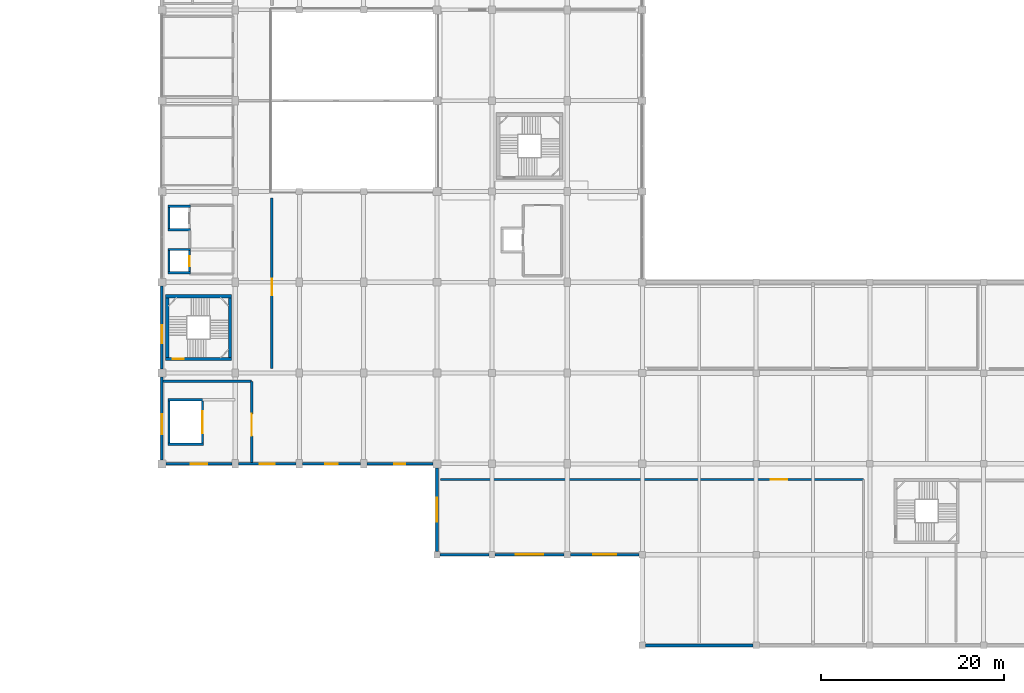
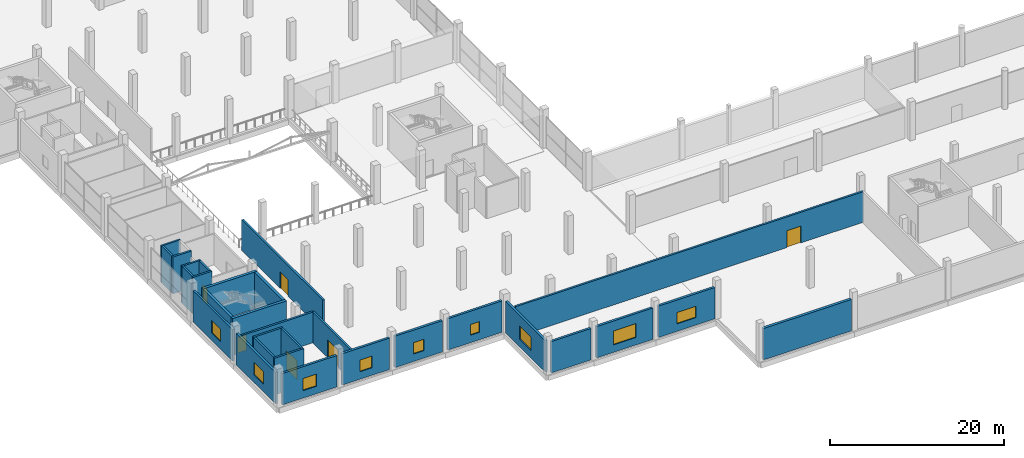
# One storey, part 44 of 74: 30 walls, 9 windows, 6 doors, 15 openings.
"""IFC4 building model written with IfcOpenShell, lengths in metres."""

from ifc_helpers import new_model, si_unit, direction, frame, frame_2d, origin, place, context, subcontext, project, spatial, rectangle, extrude, material, layer, layer_set, type_object, element, fill, save


model = new_model("IFC4")

# Units and contexts
model_context = context("Model", 3, precision=1e-05, world=origin(), true_north=direction((0.0, 1.0)))
body_context = subcontext(model_context, "Body", "Model", "MODEL_VIEW")
ifc_project = project(units=[si_unit("LENGTHUNIT", "METRE"), si_unit("AREAUNIT", "SQUARE_METRE"), si_unit("VOLUMEUNIT", "CUBIC_METRE"), si_unit("PLANEANGLEUNIT", "RADIAN"), si_unit("MASSUNIT", "GRAM", prefix="KILO")], contexts=[model_context])

# Site, building, storey
site_placement = place(None, origin())
site = spatial("IfcSite", under=ifc_project, at=site_placement, CompositionType="ELEMENT")
building_placement = place(site_placement, origin())
building = spatial("IfcBuilding", under=site, at=building_placement, Name="Sillaruma Civic Art Gallery", CompositionType="ELEMENT")
storey_placement = place(building_placement, frame((0.0, 0.0, 5.43994140625)))
storey = spatial("IfcBuildingStorey", under=building, at=storey_placement, Name="L01", CompositionType="ELEMENT", Elevation=5.43994140625)

# Wall, opening, door
ifc_material_1 = material(Name="Concrete H40 (40 MPa)", Category="concrete")
ifc_layer_1 = layer(ifc_material_1, 0.35009765625, Name="Concrete H40 (40 MPa)")
ifc_layer_set_1 = layer_set([ifc_layer_1], Name="Concrete H40 (40 MPa)")
wall_type_1 = type_object("IfcWallType", Name="WAL-CORE-350", PredefinedType="SHEAR", material=ifc_layer_set_1)
wall_1_placement = place(storey_placement, frame((62.409912109375, 31.235107421875, 0.0), z_axis=(0.0, 0.0, 1.0), x_axis=(1.0, 0.0, 0.0)))
wall_1 = element("IfcWall", 1, at=wall_1_placement, inside=storey, type_object=wall_type_1, Name="Stair Core Shear Wall W-CORE-350 (ST-03:L01:S)", PredefinedType="SHEAR", context=body_context, shape_type="SweptSolid", body=[
    extrude(rectangle(XDim=7.18017578125, YDim=0.35009765625, at=frame_2d((3.590087890625, 0.0))), origin(), (0.0, 0.0, 1.0), 5.18017578125),
])
opening_1_placement = place(wall_1_placement, frame((0.77001953125, 0.0, 0.0)))
opening_1 = element("IfcOpeningElement", 2, at=opening_1_placement, cuts=wall_1, Name="Opening D-STAIR", PredefinedType="OPENING", context=body_context, shape_type="SweptSolid", body=[
    extrude(rectangle(XDim=1.199951171875, YDim=2.199951171875, at=frame_2d((0.60009765625, 1.10009765625))), frame((0.0, 0.18505859375, 0.0), z_axis=(0.0, -1.0, 0.0), x_axis=(1.0, 0.0, 0.0)), (0.0, 0.0, 1.0), 0.3701171875),
])
ifc_material_2 = material(Name="Galvanised Steel ASTM A653 Gr.50", Category="steel")
door_type_1 = type_object("IfcDoorType", Name="DOR-STAIR-120", OperationType="NOTDEFINED", PredefinedType="DOOR", material=ifc_material_2)
door_1_placement = place(opening_1_placement, origin())
door_1 = element("IfcDoor", 3, at=door_1_placement, inside=storey, type_object=door_type_1, Name="Protected Stair Fire Door (ST-03:L01)", OperationType="SINGLE_SWING_LEFT", OverallHeight=2.199951171875, OverallWidth=1.199951171875, PredefinedType="DOOR", context=body_context, shape_type="SweptSolid", body=[
    extrude(rectangle(XDim=1.199951171875, YDim=2.199951171875, at=frame_2d((0.60009765625, 1.10009765625))), frame((0.0, 0.02490234375, 0.0), z_axis=(0.0, -1.0, 0.0), x_axis=(1.0, 0.0, 0.0)), (0.0, 0.0, 1.0), 0.050048828125),
])
fill(opening_1, door_1)

# Walls
wall_2_placement = place(storey_placement, frame((62.409912109375, 38.06494140625, 0.0), z_axis=(0.0, 0.0, 1.0), x_axis=(1.0, 0.0, 0.0)))
element("IfcWall", 4, at=wall_2_placement, inside=storey, type_object=wall_type_1, Name="Stair Core Shear Wall W-CORE-350 (ST-03:L01:N)", PredefinedType="SHEAR", context=body_context, shape_type="SweptSolid", body=[
    extrude(rectangle(XDim=7.18017578125, YDim=0.35009765625, at=frame_2d((3.590087890625, 0.0))), origin(), (0.0, 0.0, 1.0), 5.18017578125),
])
for number, where, z_axis, x_axis, name in (
    (5, (62.5849609375, 31.409912109375, 0.0), (0.0, 0.0, 1.0), (0.0, 1.0, 0.0), "Stair Core Shear Wall W-CORE-350 (ST-03:L01:W)"),
    (6, (69.4150390625, 31.409912109375, 0.0), (0.0, 0.0, 1.0), (0.0, 1.0, 0.0), "Stair Core Shear Wall W-CORE-350 (ST-03:L01:E)"),
):
    element("IfcWall", number, at=place(storey_placement, frame(where, z_axis=z_axis, x_axis=x_axis)), inside=storey, type_object=wall_type_1, Name=name, PredefinedType="SHEAR", context=body_context, shape_type="SweptSolid", body=[
        extrude(rectangle(XDim=6.47998046875, YDim=0.35009765625, at=frame_2d((3.239990234375, 0.0))), origin(), (0.0, 0.0, 1.0), 5.18017578125),
    ])

# Wall, opening, window
ifc_material_3 = material(Name="Concrete H35 (35 MPa)", Category="concrete")
ifc_layer_2 = layer(ifc_material_3, 0.159912109375, Name="Concrete backup", Category="concrete")
ifc_material_4 = material(Name="Mineral Wool Thermal Insulation", Category="insulation")
ifc_layer_3 = layer(ifc_material_4, 0.090087890625, Name="Thermal insulation", Category="insulation")
ifc_material_5 = material(Name="Anodised Zinc-Aluminium Alloy", Category="aluminium")
ifc_layer_4 = layer(ifc_material_5, 0.030029296875, Name="Rainscreen finish", Category="aluminium")
ifc_layer_set_2 = layer_set([ifc_layer_2, ifc_layer_3, ifc_layer_4], Name="W-EXT-280")
wall_type_2 = type_object("IfcWallType", Name="WAL-EXT-280", PredefinedType="SOLIDWALL", material=ifc_layer_set_2)
wall_3_placement = place(storey_placement, frame((62.0, 20.22509765625, 0.0), z_axis=(0.0, 0.0, 1.0), x_axis=(0.0, 1.0, 0.0)))
wall_3 = element("IfcWall", 7, at=wall_3_placement, inside=storey, type_object=wall_type_2, Name="Exterior Wall W-EXT-280 (EW-L01-SPW-1)", PredefinedType="SOLIDWALL", context=body_context, shape_type="SweptSolid", body=[
    extrude(rectangle(XDim=9.0498046875, YDim=0.280029296875, at=frame_2d((4.52490234375, 0.0))), origin(), (0.0, 0.0, 1.0), 4.400146484375),
])
opening_2_placement = place(wall_3_placement, frame((2.800048828125, 0.0, 1.050048828125)))
opening_2 = element("IfcOpeningElement", 8, at=opening_2_placement, cuts=wall_3, Name="Opening WN-02", PredefinedType="OPENING", context=body_context, shape_type="SweptSolid", body=[
    extrude(rectangle(XDim=2.199951171875, YDim=1.800048828125, at=frame_2d((1.10009765625, 0.89990234375))), frame((0.0, 0.14990234375, 0.0), z_axis=(0.0, -1.0, 0.0), x_axis=(1.0, 0.0, 0.0)), (0.0, 0.0, 1.0), 0.300048828125),
])
ifc_material_6 = material(Name="Thermally Broken Extruded Aluminium 6063-T6", Category="aluminium")
window_type_1 = type_object("IfcWindowType", Name="WIN-W02", PartitioningType="SINGLE_PANEL", PredefinedType="WINDOW", material=ifc_material_6)
window_1_placement = place(opening_2_placement, origin())
window_1 = element("IfcWindow", 9, at=window_1_placement, inside=storey, type_object=window_type_1, Name="Window WN-02 (EW-L01-SPW-1-1)", OverallHeight=1.800048828125, OverallWidth=2.199951171875, PartitioningType="SINGLE_PANEL", PredefinedType="WINDOW", context=body_context, shape_type="SweptSolid", body=[
    extrude(rectangle(XDim=2.199951171875, YDim=1.800048828125, at=frame_2d((1.10009765625, 0.89990234375))), frame((0.0, 0.030029296875, 0.0), z_axis=(0.0, -1.0, 0.0), x_axis=(1.0, 0.0, 0.0)), (0.0, 0.0, 1.0), 0.06005859375),
])
fill(opening_2, window_1)

wall_4_placement = place(storey_placement, frame((62.0, 30.125, 0.0), z_axis=(0.0, 0.0, 1.0), x_axis=(0.0, 1.0, 0.0)))
wall_4 = element("IfcWall", 10, at=wall_4_placement, inside=storey, type_object=wall_type_2, Name="Exterior Wall W-EXT-280 (EW-L01-SPW-2)", PredefinedType="SOLIDWALL", context=body_context, shape_type="SweptSolid", body=[
    extrude(rectangle(XDim=9.050048828125, YDim=0.280029296875, at=frame_2d((4.52490234375, 0.0))), origin(), (0.0, 0.0, 1.0), 4.400146484375),
])
opening_3_placement = place(wall_4_placement, frame((2.800048828125, 0.0, 1.050048828125)))
opening_3 = element("IfcOpeningElement", 11, at=opening_3_placement, cuts=wall_4, Name="Opening WN-03", PredefinedType="OPENING", context=body_context, shape_type="SweptSolid", body=[
    extrude(rectangle(XDim=2.0, YDim=1.75, at=frame_2d((1.0, 0.875))), frame((0.0, 0.14990234375, 0.0), z_axis=(0.0, -1.0, 0.0), x_axis=(1.0, 0.0, 0.0)), (0.0, 0.0, 1.0), 0.300048828125),
])
window_type_2 = type_object("IfcWindowType", Name="WIN-W03", PartitioningType="SINGLE_PANEL", PredefinedType="WINDOW", material=ifc_material_6)
window_2_placement = place(opening_3_placement, origin())
window_2 = element("IfcWindow", 12, at=window_2_placement, inside=storey, type_object=window_type_2, Name="Window WN-03 (EW-L01-SPW-2-1)", OverallHeight=1.75, OverallWidth=2.0, PartitioningType="SINGLE_PANEL", PredefinedType="WINDOW", context=body_context, shape_type="SweptSolid", body=[
    extrude(rectangle(XDim=2.0, YDim=1.75, at=frame_2d((1.0, 0.875))), frame((0.0, 0.030029296875, 0.0), z_axis=(0.0, -1.0, 0.0), x_axis=(1.0, 0.0, 0.0)), (0.0, 0.0, 1.0), 0.06005859375),
])
fill(opening_3, window_2)

ifc_material_7 = material(Name="Precast Concrete H35 (35 MPa)", Category="concrete")
ifc_layer_5 = layer(ifc_material_7, 0.179931640625, Name="Precast backup", Category="concrete")
ifc_layer_6 = layer(ifc_material_4, 0.090087890625, Name="Thermal insulation", Category="insulation")
ifc_material_8 = material(Name="Comanche Granitic Ashlar Stone", Category="masonry")
ifc_layer_7 = layer(ifc_material_8, 0.030029296875, Name="Rainscreen cladding", Category="masonry")
ifc_layer_set_3 = layer_set([ifc_layer_5, ifc_layer_6, ifc_layer_7], Name="W-EXT-300")
wall_type_3 = type_object("IfcWallType", Name="WAL-EXT-300", PredefinedType="SOLIDWALL", material=ifc_layer_set_3)
wall_5_placement = place(storey_placement, frame((62.425048828125, 19.800048828125, 0.0), z_axis=(0.0, 0.0, 1.0), x_axis=(1.0, 0.0, 0.0)))
wall_5 = element("IfcWall", 13, at=wall_5_placement, inside=storey, type_object=wall_type_3, Name="Exterior Wall W-EXT-300 (EW-L01-PSW-FG)", PredefinedType="SOLIDWALL", context=body_context, shape_type="SweptSolid", body=[
    extrude(rectangle(XDim=7.224853515625, YDim=0.300048828125, at=frame_2d((3.6123046875, 0.0))), origin(), (0.0, 0.0, 1.0), 4.400146484375),
])
opening_4_placement = place(wall_5_placement, frame((2.7119140625, 0.0, 1.050048828125)))
opening_4 = element("IfcOpeningElement", 14, at=opening_4_placement, cuts=wall_5, Name="Opening WN-04", PredefinedType="OPENING", context=body_context, shape_type="SweptSolid", body=[
    extrude(rectangle(XDim=1.800048828125, YDim=1.699951171875, at=frame_2d((0.89990234375, 0.85009765625))), frame((0.0, 0.159912109375, 0.0), z_axis=(0.0, -1.0, 0.0), x_axis=(1.0, 0.0, 0.0)), (0.0, 0.0, 1.0), 0.320068359375),
])
window_type_3 = type_object("IfcWindowType", Name="WIN-W04", PartitioningType="SINGLE_PANEL", PredefinedType="WINDOW", material=ifc_material_6)
window_3_placement = place(opening_4_placement, origin())
window_3 = element("IfcWindow", 15, at=window_3_placement, inside=storey, type_object=window_type_3, Name="Window WN-04 (EW-L01-PSW-FG-1)", OverallHeight=1.699951171875, OverallWidth=1.800048828125, PartitioningType="SINGLE_PANEL", PredefinedType="WINDOW", context=body_context, shape_type="SweptSolid", body=[
    extrude(rectangle(XDim=1.800048828125, YDim=1.699951171875, at=frame_2d((0.89990234375, 0.85009765625))), frame((0.0, 0.030029296875, 0.0), z_axis=(0.0, -1.0, 0.0), x_axis=(1.0, 0.0, 0.0)), (0.0, 0.0, 1.0), 0.06005859375),
])
fill(opening_4, window_3)

wall_6_placement = place(storey_placement, frame((70.35009765625, 19.800048828125, 0.0), z_axis=(0.0, 0.0, 1.0), x_axis=(1.0, 0.0, 0.0)))
wall_6 = element("IfcWall", 16, at=wall_6_placement, inside=storey, type_object=wall_type_3, Name="Exterior Wall W-EXT-300 (EW-L01-PSW-GH)", PredefinedType="SOLIDWALL", context=body_context, shape_type="SweptSolid", body=[
    extrude(rectangle(XDim=6.2998046875, YDim=0.300048828125, at=frame_2d((3.14990234375, 0.0))), origin(), (0.0, 0.0, 1.0), 4.400146484375),
])
opening_5_placement = place(wall_6_placement, frame((2.35009765625, 0.0, 1.050048828125)))
opening_5 = element("IfcOpeningElement", 17, at=opening_5_placement, cuts=wall_6, Name="Opening WN-05", PredefinedType="OPENING", context=body_context, shape_type="SweptSolid", body=[
    extrude(rectangle(XDim=1.60009765625, YDim=1.64990234375, at=frame_2d((0.800048828125, 0.824951171875))), frame((0.0, 0.159912109375, 0.0), z_axis=(0.0, -1.0, 0.0), x_axis=(1.0, 0.0, 0.0)), (0.0, 0.0, 1.0), 0.320068359375),
])
window_type_4 = type_object("IfcWindowType", Name="WIN-W05", PartitioningType="SINGLE_PANEL", PredefinedType="WINDOW", material=ifc_material_6)
window_4_placement = place(opening_5_placement, origin())
window_4 = element("IfcWindow", 18, at=window_4_placement, inside=storey, type_object=window_type_4, Name="Window WN-05 (EW-L01-PSW-GH-1)", OverallHeight=1.64990234375, OverallWidth=1.60009765625, PartitioningType="SINGLE_PANEL", PredefinedType="WINDOW", context=body_context, shape_type="SweptSolid", body=[
    extrude(rectangle(XDim=1.60009765625, YDim=1.64990234375, at=frame_2d((0.800048828125, 0.824951171875))), frame((0.0, 0.030029296875, 0.0), z_axis=(0.0, -1.0, 0.0), x_axis=(1.0, 0.0, 0.0)), (0.0, 0.0, 1.0), 0.06005859375),
])
fill(opening_5, window_4)

wall_7_placement = place(storey_placement, frame((77.35009765625, 19.800048828125, 0.0), z_axis=(0.0, 0.0, 1.0), x_axis=(1.0, 0.0, 0.0)))
wall_7 = element("IfcWall", 19, at=wall_7_placement, inside=storey, type_object=wall_type_3, Name="Exterior Wall W-EXT-300 (EW-L01-PSW-HJ)", PredefinedType="SOLIDWALL", context=body_context, shape_type="SweptSolid", body=[
    extrude(rectangle(XDim=6.2998046875, YDim=0.300048828125, at=frame_2d((3.14990234375, 0.0))), origin(), (0.0, 0.0, 1.0), 4.400146484375),
])
opening_6_placement = place(wall_7_placement, frame((2.449951171875, 0.0, 1.050048828125)))
opening_6 = element("IfcOpeningElement", 20, at=opening_6_placement, cuts=wall_7, Name="Opening WN-06", PredefinedType="OPENING", context=body_context, shape_type="SweptSolid", body=[
    extrude(rectangle(XDim=1.39990234375, YDim=1.60009765625, at=frame_2d((0.699951171875, 0.800048828125))), frame((0.0, 0.159912109375, 0.0), z_axis=(0.0, -1.0, 0.0), x_axis=(1.0, 0.0, 0.0)), (0.0, 0.0, 1.0), 0.320068359375),
])
window_type_5 = type_object("IfcWindowType", Name="WIN-W06", PartitioningType="SINGLE_PANEL", PredefinedType="WINDOW", material=ifc_material_6)
window_5_placement = place(opening_6_placement, origin())
window_5 = element("IfcWindow", 21, at=window_5_placement, inside=storey, type_object=window_type_5, Name="Window WN-06 (EW-L01-PSW-HJ-1)", OverallHeight=1.60009765625, OverallWidth=1.39990234375, PartitioningType="SINGLE_PANEL", PredefinedType="WINDOW", context=body_context, shape_type="SweptSolid", body=[
    extrude(rectangle(XDim=1.39990234375, YDim=1.60009765625, at=frame_2d((0.699951171875, 0.800048828125))), frame((0.0, 0.030029296875, 0.0), z_axis=(0.0, -1.0, 0.0), x_axis=(1.0, 0.0, 0.0)), (0.0, 0.0, 1.0), 0.06005859375),
])
fill(opening_6, window_5)

wall_8_placement = place(storey_placement, frame((84.35009765625, 19.800048828125, 0.0), z_axis=(0.0, 0.0, 1.0), x_axis=(1.0, 0.0, 0.0)))
wall_8 = element("IfcWall", 22, at=wall_8_placement, inside=storey, type_object=wall_type_3, Name="Exterior Wall W-EXT-300 (EW-L01-PSW-JK)", PredefinedType="SOLIDWALL", context=body_context, shape_type="SweptSolid", body=[
    extrude(rectangle(XDim=7.224853515625, YDim=0.300048828125, at=frame_2d((3.6123046875, 0.0))), origin(), (0.0, 0.0, 1.0), 4.400146484375),
])
opening_7_placement = place(wall_8_placement, frame((3.011962890625, 0.0, 1.050048828125)))
opening_7 = element("IfcOpeningElement", 23, at=opening_7_placement, cuts=wall_8, Name="Opening WN-07", PredefinedType="OPENING", context=body_context, shape_type="SweptSolid", body=[
    extrude(rectangle(XDim=1.199951171875, YDim=1.5, at=frame_2d((0.60009765625, 0.75))), frame((0.0, 0.159912109375, 0.0), z_axis=(0.0, -1.0, 0.0), x_axis=(1.0, 0.0, 0.0)), (0.0, 0.0, 1.0), 0.320068359375),
])
window_type_6 = type_object("IfcWindowType", Name="WIN-W07", PartitioningType="SINGLE_PANEL", PredefinedType="WINDOW", material=ifc_material_6)
window_6_placement = place(opening_7_placement, origin())
window_6 = element("IfcWindow", 24, at=window_6_placement, inside=storey, type_object=window_type_6, Name="Window WN-07 (EW-L01-PSW-JK-1)", OverallHeight=1.5, OverallWidth=1.199951171875, PartitioningType="SINGLE_PANEL", PredefinedType="WINDOW", context=body_context, shape_type="SweptSolid", body=[
    extrude(rectangle(XDim=1.199951171875, YDim=1.5, at=frame_2d((0.60009765625, 0.75))), frame((0.0, 0.030029296875, 0.0), z_axis=(0.0, -1.0, 0.0), x_axis=(1.0, 0.0, 0.0)), (0.0, 0.0, 1.0), 0.06005859375),
])
fill(opening_7, window_6)

wall_9_placement = place(storey_placement, frame((92.0, 10.25, 0.0), z_axis=(0.0, 0.0, 1.0), x_axis=(0.0, 1.0, 0.0)))
wall_9 = element("IfcWall", 25, at=wall_9_placement, inside=storey, type_object=wall_type_3, Name="Exterior Wall W-EXT-300 (EW-L01-PSW-E)", PredefinedType="SOLIDWALL", context=body_context, shape_type="SweptSolid", body=[
    extrude(rectangle(XDim=9.125, YDim=0.300048828125, at=frame_2d((4.5625, 0.0))), origin(), (0.0, 0.0, 1.0), 4.400146484375),
])
opening_8_placement = place(wall_9_placement, frame((3.262939453125, 0.0, 1.050048828125)))
opening_8 = element("IfcOpeningElement", 26, at=opening_8_placement, cuts=wall_9, Name="Opening WN-08", PredefinedType="OPENING", context=body_context, shape_type="SweptSolid", body=[
    extrude(rectangle(XDim=2.60009765625, YDim=1.85009765625, at=frame_2d((1.300048828125, 0.925048828125))), frame((0.0, 0.159912109375, 0.0), z_axis=(0.0, -1.0, 0.0), x_axis=(1.0, 0.0, 0.0)), (0.0, 0.0, 1.0), 0.320068359375),
])
window_type_7 = type_object("IfcWindowType", Name="WIN-W08", PartitioningType="SINGLE_PANEL", PredefinedType="WINDOW", material=ifc_material_6)
window_7_placement = place(opening_8_placement, origin())
window_7 = element("IfcWindow", 27, at=window_7_placement, inside=storey, type_object=window_type_7, Name="Window WN-08 (EW-L01-PSW-E-1)", OverallHeight=1.85009765625, OverallWidth=2.60009765625, PartitioningType="SINGLE_PANEL", PredefinedType="WINDOW", context=body_context, shape_type="SweptSolid", body=[
    extrude(rectangle(XDim=2.60009765625, YDim=1.85009765625, at=frame_2d((1.300048828125, 0.925048828125))), frame((0.0, 0.030029296875, 0.0), z_axis=(0.0, -1.0, 0.0), x_axis=(1.0, 0.0, 0.0)), (0.0, 0.0, 1.0), 0.06005859375),
])
fill(opening_8, window_7)

# Wall
wall_10_placement = place(storey_placement, frame((92.35009765625, 9.89990234375, 0.0), z_axis=(0.0, 0.0, 1.0), x_axis=(1.0, 0.0, 0.0)))
element("IfcWall", 28, at=wall_10_placement, inside=storey, type_object=wall_type_3, Name="Exterior Wall W-EXT-300 (EW-L01-PSE-KL)", PredefinedType="SOLIDWALL", context=body_context, shape_type="SweptSolid", body=[
    extrude(rectangle(XDim=5.2998046875, YDim=0.300048828125, at=frame_2d((2.64990234375, 0.0))), origin(), (0.0, 0.0, 1.0), 4.400146484375),
])

# Wall, opening, window
wall_11_placement = place(storey_placement, frame((98.35009765625, 9.89990234375, 0.0), z_axis=(0.0, 0.0, 1.0), x_axis=(1.0, 0.0, 0.0)))
wall_11 = element("IfcWall", 29, at=wall_11_placement, inside=storey, type_object=wall_type_3, Name="Exterior Wall W-EXT-300 (EW-L01-PSE-LM)", PredefinedType="SOLIDWALL", context=body_context, shape_type="SweptSolid", body=[
    extrude(rectangle(XDim=7.5, YDim=0.300048828125, at=frame_2d((3.75, 0.0))), origin(), (0.0, 0.0, 1.0), 4.400146484375),
])
opening_9_placement = place(wall_11_placement, frame((2.25, 0.0, 1.050048828125)))
opening_9 = element("IfcOpeningElement", 30, at=opening_9_placement, cuts=wall_11, Name="Opening WN-10", PredefinedType="OPENING", context=body_context, shape_type="SweptSolid", body=[
    extrude(rectangle(XDim=3.0, YDim=1.949951171875, at=frame_2d((1.5, 0.97509765625))), frame((0.0, 0.159912109375, 0.0), z_axis=(0.0, -1.0, 0.0), x_axis=(1.0, 0.0, 0.0)), (0.0, 0.0, 1.0), 0.320068359375),
])
window_type_8 = type_object("IfcWindowType", Name="WIN-W10", PartitioningType="SINGLE_PANEL", PredefinedType="WINDOW", material=ifc_material_6)
window_8_placement = place(opening_9_placement, origin())
window_8 = element("IfcWindow", 31, at=window_8_placement, inside=storey, type_object=window_type_8, Name="Window WN-10 (EW-L01-PSE-LM-1)", OverallHeight=1.949951171875, OverallWidth=3.0, PartitioningType="SINGLE_PANEL", PredefinedType="WINDOW", context=body_context, shape_type="SweptSolid", body=[
    extrude(rectangle(XDim=3.0, YDim=1.949951171875, at=frame_2d((1.5, 0.97509765625))), frame((0.0, 0.030029296875, 0.0), z_axis=(0.0, -1.0, 0.0), x_axis=(1.0, 0.0, 0.0)), (0.0, 0.0, 1.0), 0.06005859375),
])
fill(opening_9, window_8)

wall_12_placement = place(storey_placement, frame((106.550048828125, 9.89990234375, 0.0), z_axis=(0.0, 0.0, 1.0), x_axis=(1.0, 0.0, 0.0)))
wall_12 = element("IfcWall", 32, at=wall_12_placement, inside=storey, type_object=wall_type_3, Name="Exterior Wall W-EXT-300 (EW-L01-PSE-MN)", PredefinedType="SOLIDWALL", context=body_context, shape_type="SweptSolid", body=[
    extrude(rectangle(XDim=7.5, YDim=0.300048828125, at=frame_2d((3.75, 0.0))), origin(), (0.0, 0.0, 1.0), 4.400146484375),
])
opening_10_placement = place(wall_12_placement, frame((2.5, 0.0, 1.050048828125)))
opening_10 = element("IfcOpeningElement", 33, at=opening_10_placement, cuts=wall_12, Name="Opening WN-11", PredefinedType="OPENING", context=body_context, shape_type="SweptSolid", body=[
    extrude(rectangle(XDim=2.5, YDim=1.60009765625, at=frame_2d((1.25, 0.800048828125))), frame((0.0, 0.159912109375, 0.0), z_axis=(0.0, -1.0, 0.0), x_axis=(1.0, 0.0, 0.0)), (0.0, 0.0, 1.0), 0.320068359375),
])
window_type_9 = type_object("IfcWindowType", Name="WIN-W11", PartitioningType="SINGLE_PANEL", PredefinedType="WINDOW", material=ifc_material_6)
window_9_placement = place(opening_10_placement, origin())
window_9 = element("IfcWindow", 34, at=window_9_placement, inside=storey, type_object=window_type_9, Name="Window WN-11 (EW-L01-PSE-MN-1)", OverallHeight=1.60009765625, OverallWidth=2.5, PartitioningType="SINGLE_PANEL", PredefinedType="WINDOW", context=body_context, shape_type="SweptSolid", body=[
    extrude(rectangle(XDim=2.5, YDim=1.60009765625, at=frame_2d((1.25, 0.800048828125))), frame((0.0, 0.030029296875, 0.0), z_axis=(0.0, -1.0, 0.0), x_axis=(1.0, 0.0, 0.0)), (0.0, 0.0, 1.0), 0.06005859375),
])
fill(opening_10, window_9)

# Walls
ifc_layer_8 = layer(ifc_material_1, 0.239990234375, Name="Boundary concrete", Category="concrete")
ifc_layer_9 = layer(ifc_material_4, 0.10009765625, Name="Acoustic-thermal liner", Category="insulation")
ifc_layer_set_4 = layer_set([ifc_layer_8, ifc_layer_9], Name="W-EXT-340")
wall_type_4 = type_object("IfcWallType", Name="WAL-EXT-340", PredefinedType="SOLIDWALL", material=ifc_layer_set_4)
wall_13_placement = place(storey_placement, frame((114.75, 0.0, 0.0), z_axis=(0.0, 0.0, 1.0), x_axis=(1.0, 0.0, 0.0)))
element("IfcWall", 35, at=wall_13_placement, inside=storey, type_object=wall_type_4, Name="Exterior Wall W-EXT-340 (EW-L01-EPS-1)", PredefinedType="SOLIDWALL", context=body_context, shape_type="SweptSolid", body=[
    extrude(rectangle(XDim=11.699951171875, YDim=0.340087890625, at=frame_2d((5.85009765625, 0.0))), origin(), (0.0, 0.0, 1.0), 4.400146484375),
])
ifc_layer_10 = layer(ifc_material_1, 0.25, Name="Concrete H40 (40 MPa)")
ifc_layer_set_5 = layer_set([ifc_layer_10], Name="Concrete H40 (40 MPa)")
wall_type_5 = type_object("IfcWallType", Name="WAL-SHAFT-250", PredefinedType="SOLIDWALL", material=ifc_layer_set_5)
for number, where, z_axis, x_axis, name in (
    (36, (62.64990234375, 40.625, 0.0), (0.0, 0.0, 1.0), (1.0, 0.0, 0.0), "Lift Shaft Wall W-SHAFT-250 (PL-01:L01:S)"),
    (37, (62.64990234375, 43.175048828125, 0.0), (0.0, 0.0, 1.0), (1.0, 0.0, 0.0), "Lift Shaft Wall W-SHAFT-250 (PL-01:L01:N)"),
):
    element("IfcWall", number, at=place(storey_placement, frame(where, z_axis=z_axis, x_axis=x_axis)), inside=storey, type_object=wall_type_5, Name=name, PredefinedType="SOLIDWALL", context=body_context, shape_type="SweptSolid", body=[
        extrude(rectangle(XDim=2.5, YDim=0.25, at=frame_2d((1.25, 0.0))), origin(), (0.0, 0.0, 1.0), 5.16015625),
    ])
wall_14_placement = place(storey_placement, frame((62.77490234375, 40.75, 0.0), z_axis=(0.0, 0.0, 1.0), x_axis=(0.0, 1.0, 0.0)))
element("IfcWall", 38, at=wall_14_placement, inside=storey, type_object=wall_type_5, Name="Lift Shaft Wall W-SHAFT-250 (PL-01:L01:W)", PredefinedType="SOLIDWALL", context=body_context, shape_type="SweptSolid", body=[
    extrude(rectangle(XDim=2.300048828125, YDim=0.25, at=frame_2d((1.14990234375, 0.0))), origin(), (0.0, 0.0, 1.0), 5.16015625),
])

# Wall, opening, door
wall_15_placement = place(storey_placement, frame((65.02490234375, 40.75, 0.0), z_axis=(0.0, 0.0, 1.0), x_axis=(0.0, 1.0, 0.0)))
wall_15 = element("IfcWall", 39, at=wall_15_placement, inside=storey, type_object=wall_type_5, Name="Lift Shaft Wall W-SHAFT-250 (PL-01:L01:E)", PredefinedType="SOLIDWALL", context=body_context, shape_type="SweptSolid", body=[
    extrude(rectangle(XDim=2.300048828125, YDim=0.25, at=frame_2d((1.14990234375, 0.0))), origin(), (0.0, 0.0, 1.0), 5.16015625),
])
opening_11_placement = place(wall_15_placement, frame((0.60009765625, 0.0, 0.0)))
opening_11 = element("IfcOpeningElement", 40, at=opening_11_placement, cuts=wall_15, Name="Opening LD-01", PredefinedType="OPENING", context=body_context, shape_type="SweptSolid", body=[
    extrude(rectangle(XDim=1.10009765625, YDim=2.199951171875, at=frame_2d((0.550048828125, 1.10009765625))), frame((0.0, 0.135009765625, 0.0), z_axis=(0.0, -1.0, 0.0), x_axis=(1.0, 0.0, 0.0)), (0.0, 0.0, 1.0), 0.27001953125),
])
door_type_2 = type_object("IfcDoorType", Name="DOR-LD-01", OperationType="NOTDEFINED", PredefinedType="DOOR", material=ifc_material_2)
door_2_placement = place(opening_11_placement, origin())
door_2 = element("IfcDoor", 41, at=door_2_placement, inside=storey, type_object=door_type_2, Name="Lift Sliding Landing Door LD-01 (PL-01:L01)", OperationType="DOUBLE_DOOR_SLIDING", OverallHeight=2.199951171875, OverallWidth=1.10009765625, PredefinedType="DOOR", context=body_context, shape_type="SweptSolid", body=[
    extrude(rectangle(XDim=1.10009765625, YDim=2.199951171875, at=frame_2d((0.550048828125, 1.10009765625))), frame((0.0, 0.02490234375, 0.0), z_axis=(0.0, -1.0, 0.0), x_axis=(1.0, 0.0, 0.0)), (0.0, 0.0, 1.0), 0.050048828125),
])
fill(opening_11, door_2)

# Walls
for number, where, z_axis, x_axis, name in (
    (42, (62.64990234375, 45.324951171875, 0.0), (0.0, 0.0, 1.0), (1.0, 0.0, 0.0), "Lift Shaft Wall W-SHAFT-250 (PL-02:L01:S)"),
    (43, (62.64990234375, 47.875, 0.0), (0.0, 0.0, 1.0), (1.0, 0.0, 0.0), "Lift Shaft Wall W-SHAFT-250 (PL-02:L01:N)"),
):
    element("IfcWall", number, at=place(storey_placement, frame(where, z_axis=z_axis, x_axis=x_axis)), inside=storey, type_object=wall_type_5, Name=name, PredefinedType="SOLIDWALL", context=body_context, shape_type="SweptSolid", body=[
        extrude(rectangle(XDim=2.5, YDim=0.25, at=frame_2d((1.25, 0.0))), origin(), (0.0, 0.0, 1.0), 5.16015625),
    ])
wall_16_placement = place(storey_placement, frame((62.77490234375, 45.449951171875, 0.0), z_axis=(0.0, 0.0, 1.0), x_axis=(0.0, 1.0, 0.0)))
element("IfcWall", 44, at=wall_16_placement, inside=storey, type_object=wall_type_5, Name="Lift Shaft Wall W-SHAFT-250 (PL-02:L01:W)", PredefinedType="SOLIDWALL", context=body_context, shape_type="SweptSolid", body=[
    extrude(rectangle(XDim=2.300048828125, YDim=0.25, at=frame_2d((1.14990234375, 0.0))), origin(), (0.0, 0.0, 1.0), 5.16015625),
])
for number, where, z_axis, x_axis, name in (
    (45, (62.64990234375, 21.925048828125, 0.0), (0.0, 0.0, 1.0), (1.0, 0.0, 0.0), "Lift Shaft Wall W-SHAFT-250 (GL-01:L01:S)"),
    (46, (62.64990234375, 26.77490234375, 0.0), (0.0, 0.0, 1.0), (1.0, 0.0, 0.0), "Lift Shaft Wall W-SHAFT-250 (GL-01:L01:N)"),
):
    element("IfcWall", number, at=place(storey_placement, frame(where, z_axis=z_axis, x_axis=x_axis)), inside=storey, type_object=wall_type_5, Name=name, PredefinedType="SOLIDWALL", context=body_context, shape_type="SweptSolid", body=[
        extrude(rectangle(XDim=3.900146484375, YDim=0.25, at=frame_2d((1.9501953125, 0.0))), origin(), (0.0, 0.0, 1.0), 5.16015625),
    ])
wall_17_placement = place(storey_placement, frame((62.77490234375, 22.050048828125, 0.0), z_axis=(0.0, 0.0, 1.0), x_axis=(0.0, 1.0, 0.0)))
element("IfcWall", 47, at=wall_17_placement, inside=storey, type_object=wall_type_5, Name="Lift Shaft Wall W-SHAFT-250 (GL-01:L01:W)", PredefinedType="SOLIDWALL", context=body_context, shape_type="SweptSolid", body=[
    extrude(rectangle(XDim=4.599853515625, YDim=0.25, at=frame_2d((2.2998046875, 0.0))), origin(), (0.0, 0.0, 1.0), 5.16015625),
])

# Wall, opening, door
wall_18_placement = place(storey_placement, frame((66.425048828125, 22.050048828125, 0.0), z_axis=(0.0, 0.0, 1.0), x_axis=(0.0, 1.0, 0.0)))
wall_18 = element("IfcWall", 48, at=wall_18_placement, inside=storey, type_object=wall_type_5, Name="Lift Shaft Wall W-SHAFT-250 (GL-01:L01:E)", PredefinedType="SOLIDWALL", context=body_context, shape_type="SweptSolid", body=[
    extrude(rectangle(XDim=4.599853515625, YDim=0.25, at=frame_2d((2.2998046875, 0.0))), origin(), (0.0, 0.0, 1.0), 5.16015625),
])
opening_12_placement = place(wall_18_placement, frame((1.10009765625, 0.0, 0.0)))
opening_12 = element("IfcOpeningElement", 49, at=opening_12_placement, cuts=wall_18, Name="Opening LD-03", PredefinedType="OPENING", context=body_context, shape_type="SweptSolid", body=[
    extrude(rectangle(XDim=2.39990234375, YDim=2.64990234375, at=frame_2d((1.199951171875, 1.324951171875))), frame((0.0, 0.135009765625, 0.0), z_axis=(0.0, -1.0, 0.0), x_axis=(1.0, 0.0, 0.0)), (0.0, 0.0, 1.0), 0.27001953125),
])
door_type_3 = type_object("IfcDoorType", Name="DOR-LD-03", OperationType="NOTDEFINED", PredefinedType="DOOR", material=ifc_material_2)
door_3_placement = place(opening_12_placement, origin())
door_3 = element("IfcDoor", 50, at=door_3_placement, inside=storey, type_object=door_type_3, Name="Lift Sliding Landing Door LD-03 (GL-01:L01)", OperationType="DOUBLE_DOOR_SLIDING", OverallHeight=2.64990234375, OverallWidth=2.39990234375, PredefinedType="DOOR", context=body_context, shape_type="SweptSolid", body=[
    extrude(rectangle(XDim=2.39990234375, YDim=2.64990234375, at=frame_2d((1.199951171875, 1.324951171875))), frame((0.0, 0.02490234375, 0.0), z_axis=(0.0, -1.0, 0.0), x_axis=(1.0, 0.0, 0.0)), (0.0, 0.0, 1.0), 0.050048828125),
])
fill(opening_12, door_3)

# Wall
ifc_material_9 = material(Name="Concrete Masonry Unit Grade M15", Category="masonry")
ifc_layer_11 = layer(ifc_material_9, 0.2548828125, Name="Concrete Masonry Unit Grade M15")
ifc_layer_set_6 = layer_set([ifc_layer_11], Name="Concrete Masonry Unit Grade M15")
wall_type_6 = type_object("IfcWallType", Name="WAL-STORE-250", PredefinedType="SOLIDWALL", material=ifc_layer_set_6)
wall_19_placement = place(storey_placement, frame((62.14990234375, 28.800048828125, 0.0), z_axis=(0.0, 0.0, 1.0), x_axis=(1.0, 0.0, 0.0)))
element("IfcWall", 51, at=wall_19_placement, inside=storey, type_object=wall_type_6, Name="Interior Wall W-STORE-250 (L01-AIR)", PredefinedType="SOLIDWALL", context=body_context, shape_type="SweptSolid", body=[
    extrude(rectangle(XDim=9.650146484375, YDim=0.2548828125, at=frame_2d((4.8251953125, 0.0))), origin(), (0.0, 0.0, 1.0), 4.300048828125),
])

# Wall, opening, door
wall_20_placement = place(storey_placement, frame((71.800048828125, 19.949951171875, 0.0), z_axis=(0.0, 0.0, 1.0), x_axis=(0.0, 1.0, 0.0)))
wall_20 = element("IfcWall", 52, at=wall_20_placement, inside=storey, type_object=wall_type_6, Name="Interior Wall W-STORE-250 (L01-AIR)", PredefinedType="SOLIDWALL", context=body_context, shape_type="SweptSolid", body=[
    extrude(rectangle(XDim=8.85009765625, YDim=0.2548828125, at=frame_2d((4.425048828125, 0.0))), origin(), (0.0, 0.0, 1.0), 4.300048828125),
])
opening_13_placement = place(wall_20_placement, frame((2.89990234375, 0.0, 0.0)))
opening_13 = element("IfcOpeningElement", 53, at=opening_13_placement, cuts=wall_20, Name="Opening D-STR24", PredefinedType="OPENING", context=body_context, shape_type="SweptSolid", body=[
    extrude(rectangle(XDim=2.39990234375, YDim=2.5, at=frame_2d((1.199951171875, 1.25))), frame((0.0, 0.137451171875, 0.0), z_axis=(0.0, -1.0, 0.0), x_axis=(1.0, 0.0, 0.0)), (0.0, 0.0, 1.0), 0.27490234375),
])
door_type_4 = type_object("IfcDoorType", Name="DOR-STORE-240", OperationType="NOTDEFINED", PredefinedType="DOOR", material=ifc_material_2)
door_4_placement = place(opening_13_placement, origin())
door_4 = element("IfcDoor", 54, at=door_4_placement, inside=storey, type_object=door_type_4, Name="Crate Airlock Door (D-STR24)", OperationType="DOUBLE_DOOR_SINGLE_SWING", OverallHeight=2.5, OverallWidth=2.39990234375, PredefinedType="DOOR", context=body_context, shape_type="SweptSolid", body=[
    extrude(rectangle(XDim=2.39990234375, YDim=2.5, at=frame_2d((1.199951171875, 1.25))), frame((0.0, 0.02490234375, 0.0), z_axis=(0.0, -1.0, 0.0), x_axis=(1.0, 0.0, 0.0)), (0.0, 0.0, 1.0), 0.050048828125),
])
fill(opening_13, door_4)

wall_21_placement = place(storey_placement, frame((74.0, 30.199951171875, 0.0), z_axis=(0.0, 0.0, 1.0), x_axis=(0.0, 1.0, 0.0)))
wall_21 = element("IfcWall", 55, at=wall_21_placement, inside=storey, type_object=wall_type_6, Name="Interior Wall W-STORE-250 (L01-STR10)", PredefinedType="SOLIDWALL", context=body_context, shape_type="SweptSolid", body=[
    extrude(rectangle(XDim=18.60009765625, YDim=0.2548828125, at=frame_2d((9.300048828125, 0.0))), origin(), (0.0, 0.0, 1.0), 4.300048828125),
])
opening_14_placement = place(wall_21_placement, frame((8.0, 0.0, 0.0)))
opening_14 = element("IfcOpeningElement", 56, at=opening_14_placement, cuts=wall_21, Name="Opening D-STR18", PredefinedType="OPENING", context=body_context, shape_type="SweptSolid", body=[
    extrude(rectangle(XDim=1.800048828125, YDim=2.35009765625, at=frame_2d((0.89990234375, 1.175048828125))), frame((0.0, 0.137451171875, 0.0), z_axis=(0.0, -1.0, 0.0), x_axis=(1.0, 0.0, 0.0)), (0.0, 0.0, 1.0), 0.27490234375),
])
door_type_5 = type_object("IfcDoorType", Name="DOR-STORE-180", OperationType="NOTDEFINED", PredefinedType="DOOR", material=ifc_material_2)
door_5_placement = place(opening_14_placement, origin())
door_5 = element("IfcDoor", 57, at=door_5_placement, inside=storey, type_object=door_type_5, Name="Central Podium Vault Art Store Door (D-STR18)", OperationType="DOUBLE_DOOR_SINGLE_SWING", OverallHeight=2.35009765625, OverallWidth=1.800048828125, PredefinedType="DOOR", context=body_context, shape_type="SweptSolid", body=[
    extrude(rectangle(XDim=1.800048828125, YDim=2.35009765625, at=frame_2d((0.89990234375, 1.175048828125))), frame((0.0, 0.02490234375, 0.0), z_axis=(0.0, -1.0, 0.0), x_axis=(1.0, 0.0, 0.0)), (0.0, 0.0, 1.0), 0.050048828125),
])
fill(opening_14, door_5)

wall_22_placement = place(storey_placement, frame((92.39990234375, 18.10009765625, 0.0), z_axis=(0.0, 0.0, 1.0), x_axis=(1.0, 0.0, 0.0)))
wall_22 = element("IfcWall", 58, at=wall_22_placement, inside=storey, type_object=wall_type_6, Name="Interior Wall W-STORE-250 (L01-STR12)", PredefinedType="SOLIDWALL", context=body_context, shape_type="SweptSolid", body=[
    extrude(rectangle(XDim=46.10009765625, YDim=0.2548828125, at=frame_2d((23.050048828125, 0.0))), origin(), (0.0, 0.0, 1.0), 4.300048828125),
])
opening_15_placement = place(wall_22_placement, frame((36.0, 0.0, 0.0)))
opening_15 = element("IfcOpeningElement", 59, at=opening_15_placement, cuts=wall_22, Name="Opening D-STR18", PredefinedType="OPENING", context=body_context, shape_type="SweptSolid", body=[
    extrude(rectangle(XDim=1.800048828125, YDim=2.35009765625, at=frame_2d((0.89990234375, 1.175048828125))), frame((0.0, 0.137451171875, 0.0), z_axis=(0.0, -1.0, 0.0), x_axis=(1.0, 0.0, 0.0)), (0.0, 0.0, 1.0), 0.27490234375),
])
door_6_placement = place(opening_15_placement, origin())
door_6 = element("IfcDoor", 60, at=door_6_placement, inside=storey, type_object=door_type_5, Name="East Podium Reserve Art Store Door (D-STR18)", OperationType="DOUBLE_DOOR_SINGLE_SWING", OverallHeight=2.35009765625, OverallWidth=1.800048828125, PredefinedType="DOOR", context=body_context, shape_type="SweptSolid", body=[
    extrude(rectangle(XDim=1.800048828125, YDim=2.35009765625, at=frame_2d((0.89990234375, 1.175048828125))), frame((0.0, 0.02490234375, 0.0), z_axis=(0.0, -1.0, 0.0), x_axis=(1.0, 0.0, 0.0)), (0.0, 0.0, 1.0), 0.050048828125),
])
fill(opening_15, door_6)

save(model, "model.ifc")
